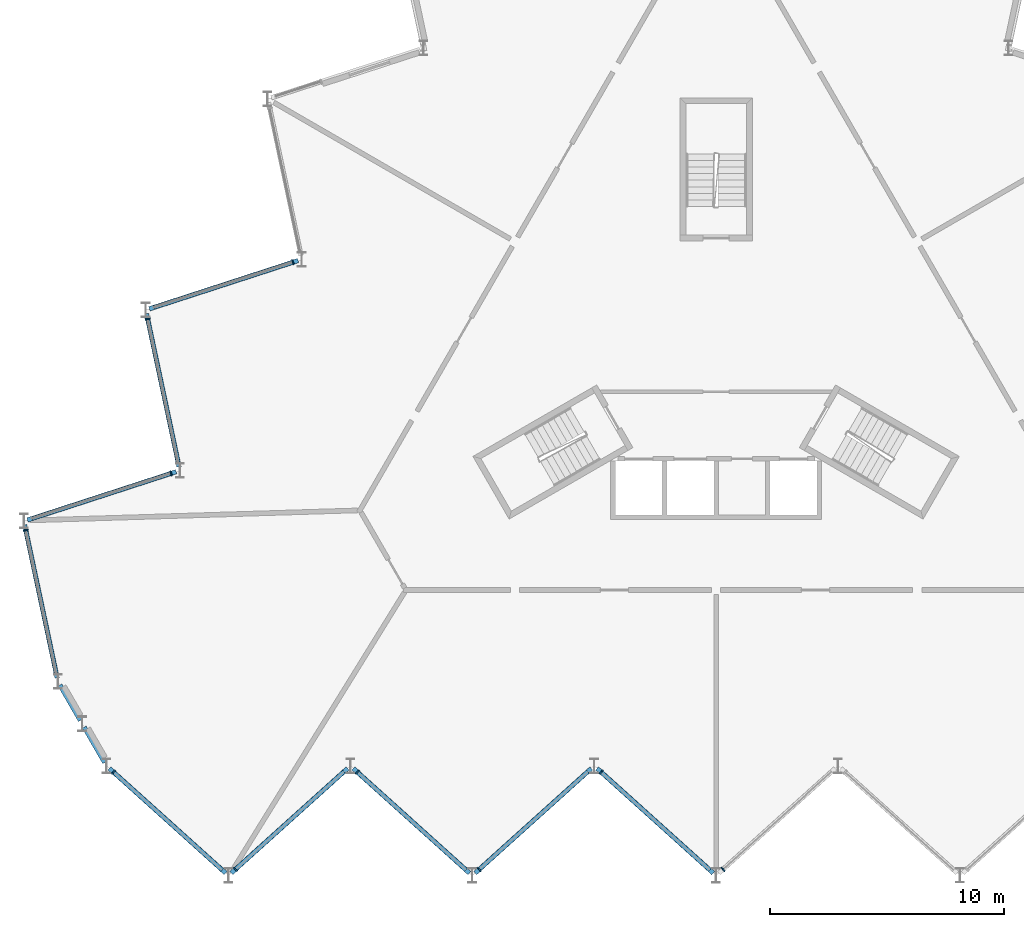
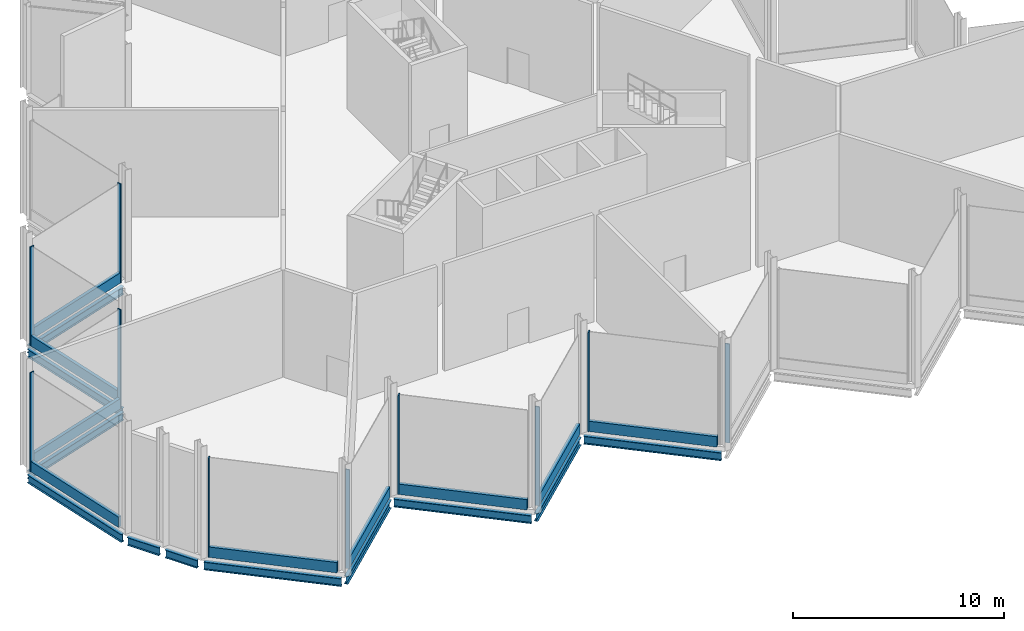
# One storey, part 4 of 12: 19 members, 11 beams, 10 elements without a shape of their own.
"""IFC4 building model written with IfcOpenShell, lengths in metres."""

import ifcopenshell
import ifcopenshell.guid

model = None  # the IFC model being written
_history = None  # IfcOwnerHistory: only IFC2X3 demands one
_inside = {}  # id of a spatial element -> (the spatial element, [elements in it])
_under = {}  # id of a project, library or spatial element -> (it, [spatial elements below it])
_declared = {}  # id of a project -> (the project, [libraries it declares])
_typed = {}  # id of a type object -> (the type object, [elements of that type])
_made_of = {}  # id of a material, layer set ... -> (it, [elements and type objects made of it])


def new_model(schema):
    """Start an empty IFC model of exactly this schema.

    Asked for "IFC4X3", IfcOpenShell would pick the latest addendum, in which some entities
    have other attributes; the version numbers below select the first issue.
    IFC2X3 requires an IfcOwnerHistory on every rooted entity: one is made here for all.
    """
    global model, _history
    if schema == "IFC4X3":
        model = ifcopenshell.file(schema_version=(4, 3, 0, 0))
    else:
        model = ifcopenshell.file(schema=schema)
    _inside.clear()
    _under.clear()
    _declared.clear()
    _typed.clear()
    _made_of.clear()
    _history = None
    if model.schema == "IFC2X3":
        org = make("IfcOrganization", Name="unknown")
        user = make(
            "IfcPersonAndOrganization",
            ThePerson=make("IfcPerson", FamilyName="unknown"),
            TheOrganization=org,
        )
        app = make(
            "IfcApplication",
            ApplicationDeveloper=org,
            Version="unknown",
            ApplicationFullName="unknown",
            ApplicationIdentifier="unknown",
        )
        _history = make(
            "IfcOwnerHistory",
            OwningUser=user,
            OwningApplication=app,
            ChangeAction="ADDED",
            CreationDate=0,
        )
    return model


def make(cls, **values):
    """One entity of the class cls with the attributes given. An attribute that is None is left unset."""
    return model.create_entity(
        cls, **{name: value for name, value in values.items() if value is not None}
    )


def rooted(cls, **values):
    """An entity with a GlobalId (a new one), such as an element, a storey or a relation."""
    return make(cls, GlobalId=ifcopenshell.guid.new(), OwnerHistory=_history, **values)


def si_unit(unit_type, name, prefix=None):
    """IfcSIUnit, for example si_unit("LENGTHUNIT", "METRE", prefix="MILLI")."""
    return make("IfcSIUnit", UnitType=unit_type, Prefix=prefix, Name=name)


def assignment(units):
    """IfcUnitAssignment: the units of a project."""
    return None if units is None else make("IfcUnitAssignment", Units=units)


def point(xyz):
    """IfcCartesianPoint."""
    return None if xyz is None else make("IfcCartesianPoint", Coordinates=xyz)


def direction(xyz):
    """IfcDirection."""
    return None if xyz is None else make("IfcDirection", DirectionRatios=xyz)


def frame(location, z_axis=None, x_axis=None):
    """IfcAxis2Placement3D, a coordinate frame: its origin and axes. An axis left out is left unset."""
    return make(
        "IfcAxis2Placement3D",
        Location=point(location),
        Axis=direction(z_axis),
        RefDirection=direction(x_axis),
    )


def frame_2d(location, x_axis=None):
    """IfcAxis2Placement2D, a coordinate frame in the plane: its origin and x axis."""
    return make(
        "IfcAxis2Placement2D", Location=point(location), RefDirection=direction(x_axis)
    )


def origin():
    """The frame at (0, 0, 0) with its axes left unset."""
    return frame((0.0, 0.0, 0.0))


def origin_2d():
    """The frame at (0, 0) in the plane with its x axis left unset."""
    return frame_2d((0.0, 0.0))


def place(relative_to, where):
    """IfcLocalPlacement: puts the frame where relative to a parent placement (None: the world)."""
    return make(
        "IfcLocalPlacement", PlacementRelTo=relative_to, RelativePlacement=where
    )


def context(
    kind, dimensions, precision=None, world=None, true_north=None, identifier=None
):
    """IfcGeometricRepresentationContext, for example the 3D "Model" context."""
    return make(
        "IfcGeometricRepresentationContext",
        ContextIdentifier=identifier,
        ContextType=kind,
        CoordinateSpaceDimension=dimensions,
        Precision=precision,
        WorldCoordinateSystem=world,
        TrueNorth=true_north,
    )


def subcontext(parent, identifier, kind, view, scale=None):
    """IfcGeometricRepresentationSubContext, for example "Body" below "Model"."""
    return make(
        "IfcGeometricRepresentationSubContext",
        ContextIdentifier=identifier,
        ContextType=kind,
        ParentContext=parent,
        TargetScale=scale,
        TargetView=view,
    )


def project(units=None, contexts=None):
    """IfcProject with its units and contexts."""
    return rooted(
        "IfcProject",
        Name="project",
        RepresentationContexts=contexts,
        UnitsInContext=assignment(units),
    )


def spatial(cls, under=None, at=None, **own):
    """A site, building, storey or space (cls), placed at a placement, below another one or the project."""
    s = rooted(cls, ObjectPlacement=at, **own)
    if under is not None:
        _under.setdefault(under.id(), (under, []))[1].append(s)
    return s


def profile(cls, at=None, kind="AREA", **sizes):
    """A parametric profile (cls). Its sizes go by their IFC names, for example OverallWidth=200.0."""
    return make(cls, ProfileType=kind, Position=at, **sizes)


def rectangle(**sizes):
    """IfcRectangleProfileDef."""
    return profile("IfcRectangleProfileDef", **sizes)


def i_section(**sizes):
    """IfcIShapeProfileDef."""
    return profile("IfcIShapeProfileDef", **sizes)


def extrude(swept, where, along, depth):
    """IfcExtrudedAreaSolid: the profile swept, set in the frame where, extruded along a direction by depth."""
    return make(
        "IfcExtrudedAreaSolid",
        SweptArea=swept,
        Position=where,
        ExtrudedDirection=direction(along),
        Depth=depth,
    )


def shape(context_of_items, identifier, shape_type, items):
    """IfcShapeRepresentation: the items that make up one representation, for example the "Body"."""
    return make(
        "IfcShapeRepresentation",
        ContextOfItems=context_of_items,
        RepresentationIdentifier=identifier,
        RepresentationType=shape_type,
        Items=items,
    )


def material(Name=None, Category=None):
    """IfcMaterial."""
    return make("IfcMaterial", Name=Name, Category=Category)


def layer(
    of_material, thickness, ventilated=None, Name=None, Category=None, Priority=None
):
    """IfcMaterialLayer: one layer of a wall or slab, of a material (None: an air gap)."""
    return make(
        "IfcMaterialLayer",
        Material=of_material,
        LayerThickness=thickness,
        IsVentilated=ventilated,
        Name=Name,
        Category=Category,
        Priority=Priority,
    )


def layer_set(layers, Name=None):
    """IfcMaterialLayerSet."""
    return make("IfcMaterialLayerSet", MaterialLayers=layers, LayerSetName=Name)


def material_profile(
    of_material, cross_section, Name=None, Category=None, Priority=None
):
    """IfcMaterialProfile: a cross section and its material."""
    return make(
        "IfcMaterialProfile",
        Name=Name,
        Material=of_material,
        Profile=cross_section,
        Priority=Priority,
        Category=Category,
    )


def profile_set(profiles, Name=None, composite=None):
    """IfcMaterialProfileSet."""
    return make(
        "IfcMaterialProfileSet",
        Name=Name,
        MaterialProfiles=profiles,
        CompositeProfile=composite,
    )


def made_of(thing, what):
    """Note that an element or type object is made of a material, layer set ...; save() writes the relation."""
    if what is not None:
        _made_of.setdefault(what.id(), (what, []))[1].append(thing)
    return thing


def type_object(cls, material=None, **own):
    """A type object (cls), such as IfcWallType, which elements share."""
    return made_of(rooted(cls, **own), material)


def element(
    cls,
    number,
    at=None,
    inside=None,
    cuts=None,
    type_object=None,
    material=None,
    context=None,
    identifier="Body",
    shape_type=None,
    held_by="IfcProductDefinitionShape",
    body=None,
    shapes=None,
    **own,
):
    """One element of the class cls, such as IfcWall. Its Tag is "e" and its number.

    at: its placement. inside: the storey or other place that contains it. cuts: it is an
    opening in that element (IfcRelVoidsElement). A single representation is given by context,
    identifier, shape_type and body (its items); several are given by shapes. held_by: the class
    of the entity that holds the representations. save() writes the other relations.
    """
    e = rooted(cls, Tag="e%d" % number, ObjectPlacement=at, **own)
    if body is not None:
        shapes = [shape(context, identifier, shape_type, body)]
    if shapes is not None:
        e.Representation = make(held_by, Representations=shapes)
    if inside is not None:
        _inside.setdefault(inside.id(), (inside, []))[1].append(e)
    if cuts is not None:
        rooted(
            "IfcRelVoidsElement", RelatingBuildingElement=cuts, RelatedOpeningElement=e
        )
    if type_object is not None:
        _typed.setdefault(type_object.id(), (type_object, []))[1].append(e)
    return made_of(e, material)


def aggregate(whole, parts):
    """IfcRelAggregates: a whole, such as a stair, and the parts it consists of."""
    return rooted("IfcRelAggregates", RelatingObject=whole, RelatedObjects=parts)


def save(model, path):
    """Write the relations noted so far, then the file.

    IfcRelAggregates (storeys below a building ...), IfcRelContainedInSpatialStructure (elements
    in a storey), IfcRelDefinesByType, IfcRelAssociatesMaterial and IfcRelDeclares: one each for
    every whole, place, type object, material and project.
    """
    for whole, parts in _under.values():
        aggregate(whole, parts)
    for where, things in _inside.values():
        rooted(
            "IfcRelContainedInSpatialStructure",
            RelatedElements=things,
            RelatingStructure=where,
        )
    for kind, things in _typed.values():
        rooted("IfcRelDefinesByType", RelatedObjects=things, RelatingType=kind)
    for what, things in _made_of.values():
        rooted("IfcRelAssociatesMaterial", RelatedObjects=things, RelatingMaterial=what)
    for by, libraries in _declared.values():
        rooted("IfcRelDeclares", RelatingContext=by, RelatedDefinitions=libraries)
    model.write(path)


model = new_model("IFC4")

# Units and contexts
model_context = context("Model", 3, precision=1e-05, world=origin(), true_north=direction((0.0, 1.0)))
body_context = subcontext(model_context, "Body", "Model", "MODEL_VIEW")
ifc_project = project(units=[si_unit("LENGTHUNIT", "METRE"), si_unit("AREAUNIT", "SQUARE_METRE"), si_unit("VOLUMEUNIT", "CUBIC_METRE"), si_unit("PLANEANGLEUNIT", "RADIAN"), si_unit("MASSUNIT", "GRAM", prefix="KILO")], contexts=[model_context])

# Site, building, storey
site_placement = place(None, origin())
site = spatial("IfcSite", under=ifc_project, at=site_placement, CompositionType="ELEMENT")
building_placement = place(site_placement, origin())
building = spatial("IfcBuilding", under=site, at=building_placement, Name="Cormorant Prow Tower", CompositionType="ELEMENT")
storey_placement = place(building_placement, frame((0.0, 0.0, 434.699951171875)))
storey = spatial("IfcBuildingStorey", under=building, at=storey_placement, Name="L97", CompositionType="ELEMENT", Elevation=434.699951171875)

# Curtain wall, member
ifc_material_1 = material(Name="Aluminium 6063-T6", Category="aluminium")
ifc_layer = layer(ifc_material_1, 0.219970703125)
ifc_layer_set = layer_set([ifc_layer], Name="Aluminium 6063-T6")
curtain_wall_type = type_object("IfcCurtainWallType", Name="Crown unitised curtain wall 220", PredefinedType="NOTDEFINED", material=ifc_layer_set)
curtain_wall_1_placement = place(storey_placement, origin())
curtain_wall_1 = element("IfcCurtainWall", 1, at=curtain_wall_1_placement, inside=storey, type_object=curtain_wall_type, Name="Crown curtain wall crown S00", PredefinedType="NOTDEFINED")
ifc_material_2 = material(Name="Aluminium 6063-T6", Category="aluminium")
ifc_material_profile_1 = material_profile(ifc_material_2, rectangle(XDim=0.219970703125, YDim=0.06005859375, at=origin_2d()), Name="Crown mullion 60x220")
ifc_profile_set_1 = profile_set([ifc_material_profile_1], Name="Aluminium 6063-T6")
member_type_1 = type_object("IfcMemberType", Name="Crown mullion 60x220", PredefinedType="MULLION", material=ifc_profile_set_1)
member_1_placement = place(storey_placement, frame((-25.705810546875, -17.670654296875, 0.0), z_axis=(0.0, 0.0, 1.0), x_axis=(0.669130603959, 0.743144827638, 0.0)))
member_1 = element("IfcMember", 2, at=member_1_placement, type_object=member_type_1, Name="Crown mullion crown S00", PredefinedType="MULLION", context=body_context, shape_type="SweptSolid", body=[
    extrude(rectangle(XDim=0.219970703125, YDim=0.06005859375, at=origin_2d()), origin(), (0.0, 0.0, 1.0), 5.73388671875),
])

curtain_wall_2_placement = place(storey_placement, origin())
curtain_wall_2 = element("IfcCurtainWall", 3, at=curtain_wall_2_placement, inside=storey, type_object=curtain_wall_type, Name="Crown curtain wall crown S01", PredefinedType="NOTDEFINED")
member_2_placement = place(storey_placement, frame((-20.505615234375, -21.82275390625, 0.0), z_axis=(0.0, 0.0, 1.0), x_axis=(-0.669130603959, 0.743144827638, 0.0)))
member_2 = element("IfcMember", 4, at=member_2_placement, type_object=member_type_1, Name="Crown mullion crown S01", PredefinedType="MULLION", context=body_context, shape_type="SweptSolid", body=[
    extrude(rectangle(XDim=0.219970703125, YDim=0.06005859375, at=origin_2d()), origin(), (0.0, 0.0, 1.0), 5.73388671875),
])

curtain_wall_3_placement = place(storey_placement, origin())
curtain_wall_3 = element("IfcCurtainWall", 5, at=curtain_wall_3_placement, inside=storey, type_object=curtain_wall_type, Name="Crown curtain wall crown S02", PredefinedType="NOTDEFINED")
member_3_placement = place(storey_placement, frame((-15.3056640625, -17.670654296875, 0.0), z_axis=(0.0, 0.0, 1.0), x_axis=(0.669130603959, 0.743144827638, 0.0)))
member_3 = element("IfcMember", 6, at=member_3_placement, type_object=member_type_1, Name="Crown mullion crown S02", PredefinedType="MULLION", context=body_context, shape_type="SweptSolid", body=[
    extrude(rectangle(XDim=0.219970703125, YDim=0.06005859375, at=origin_2d()), origin(), (0.0, 0.0, 1.0), 5.73388671875),
])

curtain_wall_4_placement = place(storey_placement, origin())
curtain_wall_4 = element("IfcCurtainWall", 7, at=curtain_wall_4_placement, inside=storey, type_object=curtain_wall_type, Name="Crown curtain wall crown S03", PredefinedType="NOTDEFINED")
member_4_placement = place(storey_placement, frame((-10.105712890625, -21.82275390625, 0.0), z_axis=(0.0, 0.0, 1.0), x_axis=(-0.669130603959, 0.743144827638, 0.0)))
member_4 = element("IfcMember", 8, at=member_4_placement, type_object=member_type_1, Name="Crown mullion crown S03", PredefinedType="MULLION", context=body_context, shape_type="SweptSolid", body=[
    extrude(rectangle(XDim=0.219970703125, YDim=0.06005859375, at=origin_2d()), origin(), (0.0, 0.0, 1.0), 5.73388671875),
])

curtain_wall_5_placement = place(storey_placement, origin())
curtain_wall_5 = element("IfcCurtainWall", 9, at=curtain_wall_5_placement, inside=storey, type_object=curtain_wall_type, Name="Crown curtain wall crown S04", PredefinedType="NOTDEFINED")
member_5_placement = place(storey_placement, frame((-4.90576171875, -17.670654296875, 0.0), z_axis=(0.0, 0.0, 1.0), x_axis=(0.669130603959, 0.743144827638, 0.0)))
member_5 = element("IfcMember", 10, at=member_5_placement, type_object=member_type_1, Name="Crown mullion crown S04", PredefinedType="MULLION", context=body_context, shape_type="SweptSolid", body=[
    extrude(rectangle(XDim=0.219970703125, YDim=0.06005859375, at=origin_2d()), origin(), (0.0, 0.0, 1.0), 5.73388671875),
])

curtain_wall_6_placement = place(storey_placement, origin())
curtain_wall_6 = element("IfcCurtainWall", 11, at=curtain_wall_6_placement, inside=storey, type_object=curtain_wall_type, Name="Crown curtain wall crown S05", PredefinedType="NOTDEFINED")
member_6_placement = place(storey_placement, frame((0.294189453125, -21.82275390625, 0.0), z_axis=(0.0, 0.0, 1.0), x_axis=(-0.669130603959, 0.743144827638, 0.0)))
member_6 = element("IfcMember", 12, at=member_6_placement, type_object=member_type_1, Name="Crown mullion crown S05", PredefinedType="MULLION", context=body_context, shape_type="SweptSolid", body=[
    extrude(rectangle(XDim=0.219970703125, YDim=0.06005859375, at=origin_2d()), origin(), (0.0, 0.0, 1.0), 5.73388671875),
])
aggregate(curtain_wall_6, [member_6])

curtain_wall_7_placement = place(storey_placement, origin())
curtain_wall_7 = element("IfcCurtainWall", 13, at=curtain_wall_7_placement, inside=storey, type_object=curtain_wall_type, Name="Crown curtain wall crown WNW06", PredefinedType="NOTDEFINED")
member_7_placement = place(storey_placement, frame((-18.050537109375, 4.0771484375, 0.0), z_axis=(0.0, 0.0, 1.0), x_axis=(0.309017066365, -0.951056492904, 0.0)))
member_7 = element("IfcMember", 14, at=member_7_placement, type_object=member_type_1, Name="Crown mullion crown WNW06", PredefinedType="MULLION", context=body_context, shape_type="SweptSolid", body=[
    extrude(rectangle(XDim=0.219970703125, YDim=0.06005859375, at=origin_2d()), origin(), (0.0, 0.0, 1.0), 5.73388671875),
])

curtain_wall_8_placement = place(storey_placement, origin())
curtain_wall_8 = element("IfcCurtainWall", 15, at=curtain_wall_8_placement, inside=storey, type_object=curtain_wall_type, Name="Crown curtain wall crown WNW07", PredefinedType="NOTDEFINED")
member_8_placement = place(storey_placement, frame((-24.246337890625, 1.64990234375, 0.0), z_axis=(0.0, 0.0, 1.0), x_axis=(0.978147615768, 0.207911620089, 0.0)))
member_8 = element("IfcMember", 16, at=member_8_placement, type_object=member_type_1, Name="Crown mullion crown WNW07", PredefinedType="MULLION", context=body_context, shape_type="SweptSolid", body=[
    extrude(rectangle(XDim=0.219970703125, YDim=0.06005859375, at=origin_2d()), origin(), (0.0, 0.0, 1.0), 5.73388671875),
])

curtain_wall_9_placement = place(storey_placement, origin())
curtain_wall_9 = element("IfcCurtainWall", 17, at=curtain_wall_9_placement, inside=storey, type_object=curtain_wall_type, Name="Crown curtain wall crown WNW08", PredefinedType="NOTDEFINED")
member_9_placement = place(storey_placement, frame((-23.25048828125, -4.929443359375, 0.0), z_axis=(0.0, 0.0, 1.0), x_axis=(0.309016937108, -0.951056534902, 0.0)))
member_9 = element("IfcMember", 18, at=member_9_placement, type_object=member_type_1, Name="Crown mullion crown WNW08", PredefinedType="MULLION", context=body_context, shape_type="SweptSolid", body=[
    extrude(rectangle(XDim=0.219970703125, YDim=0.06005859375, at=origin_2d()), origin(), (0.0, 0.0, 1.0), 5.73388671875),
])

curtain_wall_10_placement = place(storey_placement, origin())
curtain_wall_10 = element("IfcCurtainWall", 19, at=curtain_wall_10_placement, inside=storey, type_object=curtain_wall_type, Name="Crown curtain wall crown WNW09", PredefinedType="NOTDEFINED")
member_10_placement = place(storey_placement, frame((-29.4462890625, -7.356689453125, 0.0), z_axis=(0.0, 0.0, 1.0), x_axis=(0.978147615768, 0.207911620089, 0.0)))
member_10 = element("IfcMember", 20, at=member_10_placement, type_object=member_type_1, Name="Crown mullion crown WNW09", PredefinedType="MULLION", context=body_context, shape_type="SweptSolid", body=[
    extrude(rectangle(XDim=0.219970703125, YDim=0.06005859375, at=origin_2d()), origin(), (0.0, 0.0, 1.0), 5.73388671875),
])

# Beams
ifc_material_3 = material(Name="Structural steel ASTM A992 Gr 50", Category="steel")
ifc_material_profile_2 = material_profile(ifc_material_3, i_section(OverallWidth=0.19287109375, OverallDepth=0.466064453125, WebThickness=0.011474609375, FlangeThickness=0.01904296875, at=origin_2d()), Name="W18x65")
ifc_profile_set_2 = profile_set([ifc_material_profile_2], Name="Structural steel ASTM A992 Gr 50")
beam_type = type_object("IfcBeamType", Name="Crown ring beam W18x65", PredefinedType="SPANDREL", material=ifc_profile_set_2)
for number, where, z_axis, x_axis, name in (
    (21, (-25.878662109375, -17.514892578125, -0.532958984375), (0.743139440672, -0.669136586743, 0.0), (0.669136586743, 0.743139440672, 0.0), "Crown ring beam SB5 S00-S01 L97"),
    (22, (-20.6787109375, -21.978515625, -0.532958984375), (0.743139440672, 0.669136586743, 0.0), (-0.669136586743, 0.743139440672, 0.0), "Crown ring beam SB5 S01-S02 L97"),
):
    element("IfcBeam", number, at=place(storey_placement, frame(where, z_axis=z_axis, x_axis=x_axis)), inside=storey, type_object=beam_type, Name=name, PredefinedType="SPANDREL", context=body_context, shape_type="SweptSolid", body=[
        extrude(i_section(OverallWidth=0.19287109375, OverallDepth=0.466064453125, WebThickness=0.011474609375, FlangeThickness=0.01904296875, at=origin_2d()), origin(), (0.0, 0.0, 1.0), 6.670654296875),
    ])
beam_1_placement = place(storey_placement, frame((-15.478759765625, -17.514892578125, -0.532958984375), z_axis=(0.743155826906, -0.669118387832, 0.0), x_axis=(0.669118387832, 0.743155826906, 0.0)))
element("IfcBeam", 23, at=beam_1_placement, inside=storey, type_object=beam_type, Name="Crown ring beam SB5 S02-S03 L97", PredefinedType="SPANDREL", context=body_context, shape_type="SweptSolid", body=[
    extrude(i_section(OverallWidth=0.19287109375, OverallDepth=0.466064453125, WebThickness=0.011474609375, FlangeThickness=0.01904296875, at=origin_2d()), origin(), (0.0, 0.0, 1.0), 6.6708984375),
])
for number, where, z_axis, x_axis, name in (
    (24, (-10.278564453125, -21.978515625, -0.532958984375), (0.743139440672, 0.669136586743, 0.0), (-0.669136586743, 0.743139440672, 0.0), "Crown ring beam SB5 S03-S04 L97"),
    (25, (-5.07861328125, -17.514892578125, -0.532958984375), (0.743139440672, -0.669136586743, 0.0), (0.669136586743, 0.743139440672, 0.0), "Crown ring beam SB5 S04-S05 L97"),
    (26, (-17.8291015625, 4.149169921875, -0.532958984375), (-0.951049666898, -0.309038073858, 0.0), (0.309038073858, -0.951049666898, 0.0), "Crown ring beam SB5 WNW06-WNW07 L97"),
):
    element("IfcBeam", number, at=place(storey_placement, frame(where, z_axis=z_axis, x_axis=x_axis)), inside=storey, type_object=beam_type, Name=name, PredefinedType="SPANDREL", context=body_context, shape_type="SweptSolid", body=[
        extrude(i_section(OverallWidth=0.19287109375, OverallDepth=0.466064453125, WebThickness=0.011474609375, FlangeThickness=0.01904296875, at=origin_2d()), origin(), (0.0, 0.0, 1.0), 6.670654296875),
    ])
beam_2_placement = place(storey_placement, frame((-24.294677734375, 1.877685546875, -0.532958984375), z_axis=(0.207911717999, -0.978147594956, 0.0), x_axis=(0.978147594956, 0.207911717999, 0.0)))
element("IfcBeam", 27, at=beam_2_placement, inside=storey, type_object=beam_type, Name="Crown ring beam SB5 WNW07-WNW08 L97", PredefinedType="SPANDREL", context=body_context, shape_type="SweptSolid", body=[
    extrude(i_section(OverallWidth=0.19287109375, OverallDepth=0.466064453125, WebThickness=0.011474609375, FlangeThickness=0.01904296875, at=origin_2d()), origin(), (0.0, 0.0, 1.0), 6.6708984375),
])
for number, where, z_axis, x_axis, name in (
    (28, (-23.029052734375, -4.857666015625, -0.532958984375), (-0.95106042314, -0.309004970083, 0.0), (0.309004970083, -0.95106042314, 0.0), "Crown ring beam SB5 WNW08-WNW09 L97"),
    (29, (-29.49462890625, -7.129150390625, -0.532958984375), (0.207919161079, -0.978146012851, 0.0), (0.978146012851, 0.207919161079, 0.0), "Crown ring beam SB5 WNW09-WSW00 L97"),
):
    element("IfcBeam", number, at=place(storey_placement, frame(where, z_axis=z_axis, x_axis=x_axis)), inside=storey, type_object=beam_type, Name=name, PredefinedType="SPANDREL", context=body_context, shape_type="SweptSolid", body=[
        extrude(i_section(OverallWidth=0.19287109375, OverallDepth=0.466064453125, WebThickness=0.011474609375, FlangeThickness=0.01904296875, at=origin_2d()), origin(), (0.0, 0.0, 1.0), 6.670654296875),
    ])
for number, where, z_axis, x_axis, name in (
    (30, (-27.9921875, -13.955078125, -0.532958984375), (0.500061095026, -0.865990127681, 0.0), (0.865990127681, 0.500061095026, 0.0), "Crown ring beam SB5 WSW00-WSW01 L97"),
    (31, (-26.955322265625, -15.751220703125, -0.532958984375), (0.500061095026, -0.865990127681, 0.0), (0.865990127681, 0.500061095026, 0.0), "Crown ring beam SB5 WSW01-S00 L97"),
):
    element("IfcBeam", number, at=place(storey_placement, frame(where, z_axis=z_axis, x_axis=x_axis)), inside=storey, type_object=beam_type, Name=name, PredefinedType="SPANDREL", context=body_context, shape_type="SweptSolid", body=[
        extrude(i_section(OverallWidth=0.19287109375, OverallDepth=0.466064453125, WebThickness=0.011474609375, FlangeThickness=0.01904296875, at=origin_2d()), origin(), (0.0, 0.0, 1.0), 1.747314453125),
    ])

# Member
ifc_material_4 = material(Name="Terracotta", Category="masonry")
ifc_material_profile_3 = material_profile(ifc_material_4, rectangle(XDim=0.179931640625, YDim=0.60009765625, at=origin_2d()), Name="Crown terracotta spandrel rail 180x600")
ifc_profile_set_3 = profile_set([ifc_material_profile_3], Name="Terracotta")
member_type_2 = type_object("IfcMemberType", Name="Crown terracotta spandrel rail 180x600", PredefinedType="USERDEFINED", material=ifc_profile_set_3)
member_11_placement = place(storey_placement, frame((-25.683349609375, -17.690673828125, 0.300048828125), z_axis=(0.743121966202, -0.669155993285, 0.0), x_axis=(0.669155993285, 0.743121966202, 0.0)))
member_11 = element("IfcMember", 32, at=member_11_placement, type_object=member_type_2, Name="Crown spandrel rail crown S00", ObjectType="TRANSOM", PredefinedType="USERDEFINED", context=body_context, shape_type="SweptSolid", body=[
    extrude(rectangle(XDim=0.179931640625, YDim=0.60009765625, at=origin_2d()), origin(), (0.0, 0.0, 1.0), 6.205322265625),
])

aggregate(curtain_wall_1, [member_1, member_11])

member_12_placement = place(storey_placement, frame((-20.4833984375, -21.802734375, 0.300048828125), z_axis=(0.743141530577, 0.669134265699, 0.0), x_axis=(-0.669134265699, 0.743141530577, 0.0)))
member_12 = element("IfcMember", 33, at=member_12_placement, type_object=member_type_2, Name="Crown spandrel rail crown S01", ObjectType="TRANSOM", PredefinedType="USERDEFINED", context=body_context, shape_type="SweptSolid", body=[
    extrude(rectangle(XDim=0.179931640625, YDim=0.60009765625, at=origin_2d()), origin(), (0.0, 0.0, 1.0), 6.205078125),
])

aggregate(curtain_wall_2, [member_2, member_12])

member_13_placement = place(storey_placement, frame((-15.283447265625, -17.690673828125, 0.300048828125), z_axis=(0.743139582304, -0.669136429447, 0.0), x_axis=(0.669136429447, 0.743139582304, 0.0)))
member_13 = element("IfcMember", 34, at=member_13_placement, type_object=member_type_2, Name="Crown spandrel rail crown S02", ObjectType="TRANSOM", PredefinedType="USERDEFINED", context=body_context, shape_type="SweptSolid", body=[
    extrude(rectangle(XDim=0.179931640625, YDim=0.60009765625, at=origin_2d()), origin(), (0.0, 0.0, 1.0), 6.20556640625),
])

aggregate(curtain_wall_3, [member_3, member_13])

member_14_placement = place(storey_placement, frame((-10.08349609375, -21.802734375, 0.300048828125), z_axis=(0.743159145999, 0.669114701466, 0.0), x_axis=(-0.669114701466, 0.743159145999, 0.0)))
member_14 = element("IfcMember", 35, at=member_14_placement, type_object=member_type_2, Name="Crown spandrel rail crown S03", ObjectType="TRANSOM", PredefinedType="USERDEFINED", context=body_context, shape_type="SweptSolid", body=[
    extrude(rectangle(XDim=0.179931640625, YDim=0.60009765625, at=origin_2d()), origin(), (0.0, 0.0, 1.0), 6.205322265625),
])

aggregate(curtain_wall_4, [member_4, member_14])

member_15_placement = place(storey_placement, frame((-4.88330078125, -17.690673828125, 0.300048828125), z_axis=(0.743121966202, -0.669155993285, 0.0), x_axis=(0.669155993285, 0.743121966202, 0.0)))
member_15 = element("IfcMember", 36, at=member_15_placement, type_object=member_type_2, Name="Crown spandrel rail crown S04", ObjectType="TRANSOM", PredefinedType="USERDEFINED", context=body_context, shape_type="SweptSolid", body=[
    extrude(rectangle(XDim=0.179931640625, YDim=0.60009765625, at=origin_2d()), origin(), (0.0, 0.0, 1.0), 6.205322265625),
])

aggregate(curtain_wall_5, [member_5, member_15])

member_16_placement = place(storey_placement, frame((-18.078857421875, 4.06787109375, 0.300048828125), z_axis=(-0.951059797983, -0.309006894194, 0.0), x_axis=(0.309006894194, -0.951059797983, 0.0)))
member_16 = element("IfcMember", 37, at=member_16_placement, type_object=member_type_2, Name="Crown spandrel rail crown WNW06", ObjectType="TRANSOM", PredefinedType="USERDEFINED", context=body_context, shape_type="SweptSolid", body=[
    extrude(rectangle(XDim=0.179931640625, YDim=0.60009765625, at=origin_2d()), origin(), (0.0, 0.0, 1.0), 6.205322265625),
])

aggregate(curtain_wall_7, [member_7, member_16])

member_17_placement = place(storey_placement, frame((-24.239990234375, 1.62060546875, 0.300048828125), z_axis=(0.207889811544, -0.978152251061, 0.0), x_axis=(0.978152251061, 0.207889811544, 0.0)))
member_17 = element("IfcMember", 38, at=member_17_placement, type_object=member_type_2, Name="Crown spandrel rail crown WNW07", ObjectType="TRANSOM", PredefinedType="USERDEFINED", context=body_context, shape_type="SweptSolid", body=[
    extrude(rectangle(XDim=0.179931640625, YDim=0.60009765625, at=origin_2d()), origin(), (0.0, 0.0, 1.0), 6.205322265625),
])

aggregate(curtain_wall_8, [member_8, member_17])

member_18_placement = place(storey_placement, frame((-23.279052734375, -4.938720703125, 0.300048828125), z_axis=(-0.951056041011, -0.309018457145, 0.0), x_axis=(0.309018457145, -0.951056041011, 0.0)))
member_18 = element("IfcMember", 39, at=member_18_placement, type_object=member_type_2, Name="Crown spandrel rail crown WNW08", ObjectType="TRANSOM", PredefinedType="USERDEFINED", context=body_context, shape_type="SweptSolid", body=[
    extrude(rectangle(XDim=0.179931640625, YDim=0.60009765625, at=origin_2d()), origin(), (0.0, 0.0, 1.0), 6.205078125),
])

aggregate(curtain_wall_9, [member_9, member_18])

member_19_placement = place(storey_placement, frame((-29.43994140625, -7.385986328125, 0.300048828125), z_axis=(0.207889811544, -0.978152251061, 0.0), x_axis=(0.978152251061, 0.207889811544, 0.0)))
member_19 = element("IfcMember", 40, at=member_19_placement, type_object=member_type_2, Name="Crown spandrel rail crown WNW09", ObjectType="TRANSOM", PredefinedType="USERDEFINED", context=body_context, shape_type="SweptSolid", body=[
    extrude(rectangle(XDim=0.179931640625, YDim=0.60009765625, at=origin_2d()), origin(), (0.0, 0.0, 1.0), 6.205322265625),
])

aggregate(curtain_wall_10, [member_10, member_19])

save(model, "model.ifc")
